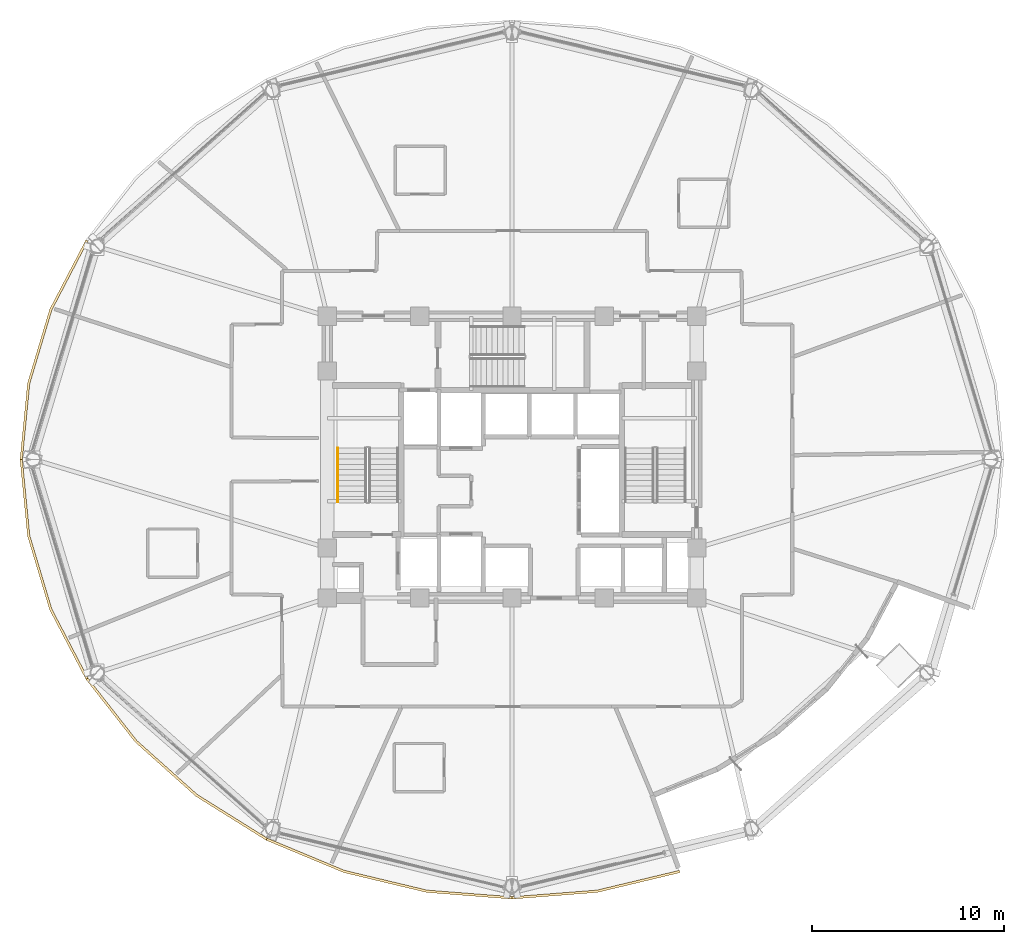
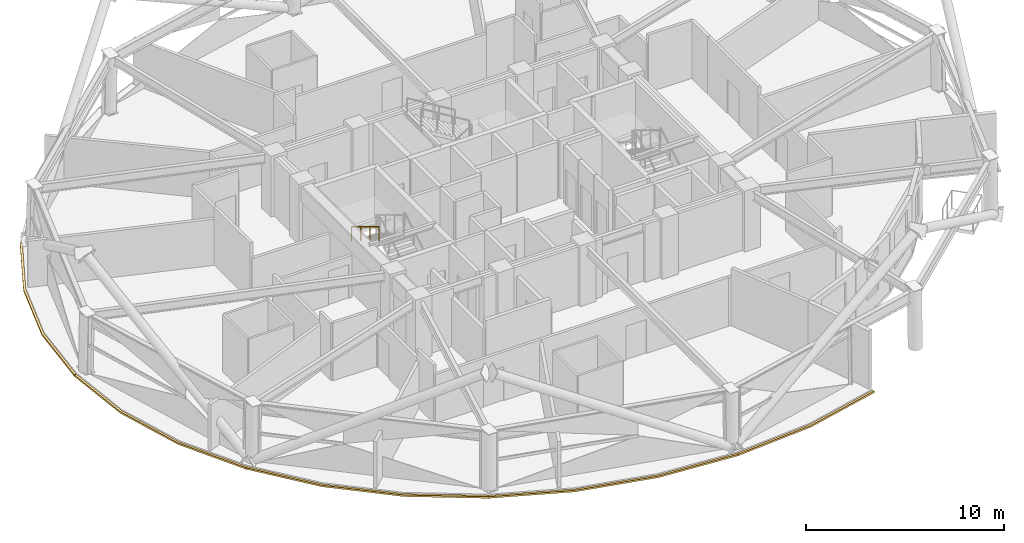
# One storey, part 14 of 17: 5 coverings, 1 railing.
"""IFC4 building model written with IfcOpenShell, lengths in metres."""

from ifc_helpers import new_model, si_unit, direction, frame, origin, origin_2d, place, context, subcontext, project, spatial, polyline, rectangle, outline, extrude, material, layer, layer_set, type_object, element, save


model = new_model("IFC4")

# Units and contexts
model_context = context("Model", 3, precision=1e-05, world=origin(), true_north=direction((0.0, 1.0)))
body_context = subcontext(model_context, "Body", "Model", "MODEL_VIEW")
ifc_project = project(units=[si_unit("LENGTHUNIT", "METRE"), si_unit("AREAUNIT", "SQUARE_METRE"), si_unit("VOLUMEUNIT", "CUBIC_METRE"), si_unit("PLANEANGLEUNIT", "RADIAN"), si_unit("MASSUNIT", "GRAM", prefix="KILO")], contexts=[model_context])

# Site, building, storey
site_placement = place(None, origin())
site = spatial("IfcSite", under=ifc_project, at=site_placement, CompositionType="ELEMENT")
building_placement = place(site_placement, origin())
building = spatial("IfcBuilding", under=site, at=building_placement, Name="Vantalir Tower", CompositionType="ELEMENT")
storey_placement = place(building_placement, frame((0.0, 0.0, 142.199951171875)))
storey = spatial("IfcBuildingStorey", under=building, at=storey_placement, Name="L35", CompositionType="ELEMENT", Elevation=142.199951171875)

# Coverings
ifc_material_1 = material(Name="Anodised champagne aluminium sill fascia", Category="aluminium")
ifc_layer = layer(ifc_material_1, 0.125)
ifc_layer_set = layer_set([ifc_layer], Name="Anodised champagne aluminium sill fascia")
covering_type = type_object("IfcCoveringType", Name="COV-SLAB-FASCIA-125", PredefinedType="CLADDING", material=ifc_layer_set)
covering_1_placement = place(storey_placement, frame((0.0, 0.0, -0.179931640625)))
element("IfcCovering", 1, at=covering_1_placement, inside=storey, type_object=covering_type, Name="L35 Perimeter Slab-Edge Sill Fascia 06", PredefinedType="CLADDING", context=body_context, shape_type="SweptSolid", body=[
    extrude(outline(polyline([(9.344970703125, 36.427001953125), (7.4609375, 32.81689453125), (6.306884765625, 28.968994140625), (5.91796875, 25.0), (6.04296875, 25.0), (6.429931640625, 28.947021484375), (7.577880859375, 32.77392578125), (9.4541015625, 36.364990234375), (9.344970703125, 36.427001953125)])), origin(), (0.0, 0.0, 1.0), 0.10498046875),
])
covering_2_placement = place(storey_placement, frame((0.0, 0.0, -0.179931640625)))
element("IfcCovering", 2, at=covering_2_placement, inside=storey, type_object=covering_type, Name="L35 Perimeter Slab-Edge Sill Fascia 07", PredefinedType="CLADDING", context=body_context, shape_type="SweptSolid", body=[
    extrude(outline(polyline([(5.91796875, 25.0), (6.306884765625, 21.031005859375), (7.4609375, 17.18310546875), (9.344970703125, 13.572021484375), (9.4541015625, 13.635009765625), (7.577880859375, 17.22607421875), (6.429931640625, 21.052978515625), (6.04296875, 25.0), (5.91796875, 25.0)])), origin(), (0.0, 0.0, 1.0), 0.10498046875),
])
covering_3_placement = place(storey_placement, frame((0.0, 0.0, -0.179931640625)))
element("IfcCovering", 3, at=covering_3_placement, inside=storey, type_object=covering_type, Name="L35 Perimeter Slab-Edge Sill Fascia 08", PredefinedType="CLADDING", context=body_context, shape_type="SweptSolid", body=[
    extrude(outline(polyline([(9.344970703125, 13.572021484375), (11.903076171875, 10.30908203125), (15.055908203125, 7.491943359375), (18.708984375, 5.20703125), (18.77099609375, 5.31494140625), (15.136962890625, 7.587890625), (11.9990234375, 10.388916015625), (9.4541015625, 13.635009765625), (9.344970703125, 13.572021484375)])), origin(), (0.0, 0.0, 1.0), 0.10498046875),
])
covering_4_placement = place(storey_placement, frame((0.0, 0.0, -0.179931640625)))
element("IfcCovering", 4, at=covering_4_placement, inside=storey, type_object=covering_type, Name="L35 Perimeter Slab-Edge Sill Fascia 09", PredefinedType="CLADDING", context=body_context, shape_type="SweptSolid", body=[
    extrude(outline(polyline([(18.708984375, 5.20703125), (22.75, 3.52294921875), (27.05810546875, 2.491943359375), (31.5, 2.14501953125), (31.5, 2.27001953125), (27.0791015625, 2.614990234375), (22.79296875, 3.64111328125), (18.77099609375, 5.31494140625), (18.708984375, 5.20703125)])), origin(), (0.0, 0.0, 1.0), 0.10498046875),
])
covering_5_placement = place(storey_placement, frame((0.0, 0.0, -0.179931640625)))
element("IfcCovering", 5, at=covering_5_placement, inside=storey, type_object=covering_type, Name="L35 Perimeter Slab-Edge Sill Fascia 10", PredefinedType="CLADDING", context=body_context, shape_type="SweptSolid", body=[
    extrude(outline(polyline([(31.5, 2.14501953125), (35.94189453125, 2.491943359375), (40.25, 3.52294921875), (40.20703125, 3.64111328125), (35.9208984375, 2.614990234375), (31.5, 2.27001953125), (31.5, 2.14501953125)])), origin(), (0.0, 0.0, 1.0), 0.10498046875),
])

# Railing
ifc_material_2 = material(Name="Brushed stainless steel tubular handrail", Category="steel")
railing_type = type_object("IfcRailingType", Name="RAL-HANDRAIL-900", PredefinedType="HANDRAIL", material=ifc_material_2)
railing_placement = place(storey_placement, frame((22.449951171875, 25.590087890625, 2.04541015625)))
element("IfcRailing", 6, at=railing_placement, inside=storey, type_object=railing_type, Name="L35 ST1 stair handrail 2", PredefinedType="HANDRAIL", context=body_context, shape_type="SweptSolid", body=[
    extrude(rectangle(XDim=0.048095703125, YDim=0.048095703125, at=origin_2d()), frame((0.0, 0.0, 0.8759765625), z_axis=(0.0, -0.854169791009, 0.51999420009), x_axis=(1.0, 0.0, 0.0)), (0.0, 0.0, 1.0), 3.278076171875),
    extrude(rectangle(XDim=0.0419921875, YDim=0.0419921875, at=origin_2d()), origin(), (0.0, 0.0, 1.0), 0.851806640625),
    extrude(rectangle(XDim=0.0419921875, YDim=0.0419921875, at=origin_2d()), frame((0.0, -0.933349609375, 0.568115234375)), (0.0, 0.0, 1.0), 0.851806640625),
    extrude(rectangle(XDim=0.0419921875, YDim=0.0419921875, at=origin_2d()), frame((0.0, -1.86669921875, 1.136474609375)), (0.0, 0.0, 1.0), 0.851806640625),
    extrude(rectangle(XDim=0.0419921875, YDim=0.0419921875, at=origin_2d()), frame((0.0, -2.800048828125, 1.70458984375)), (0.0, 0.0, 1.0), 0.851806640625),
])

save(model, "model.ifc")
